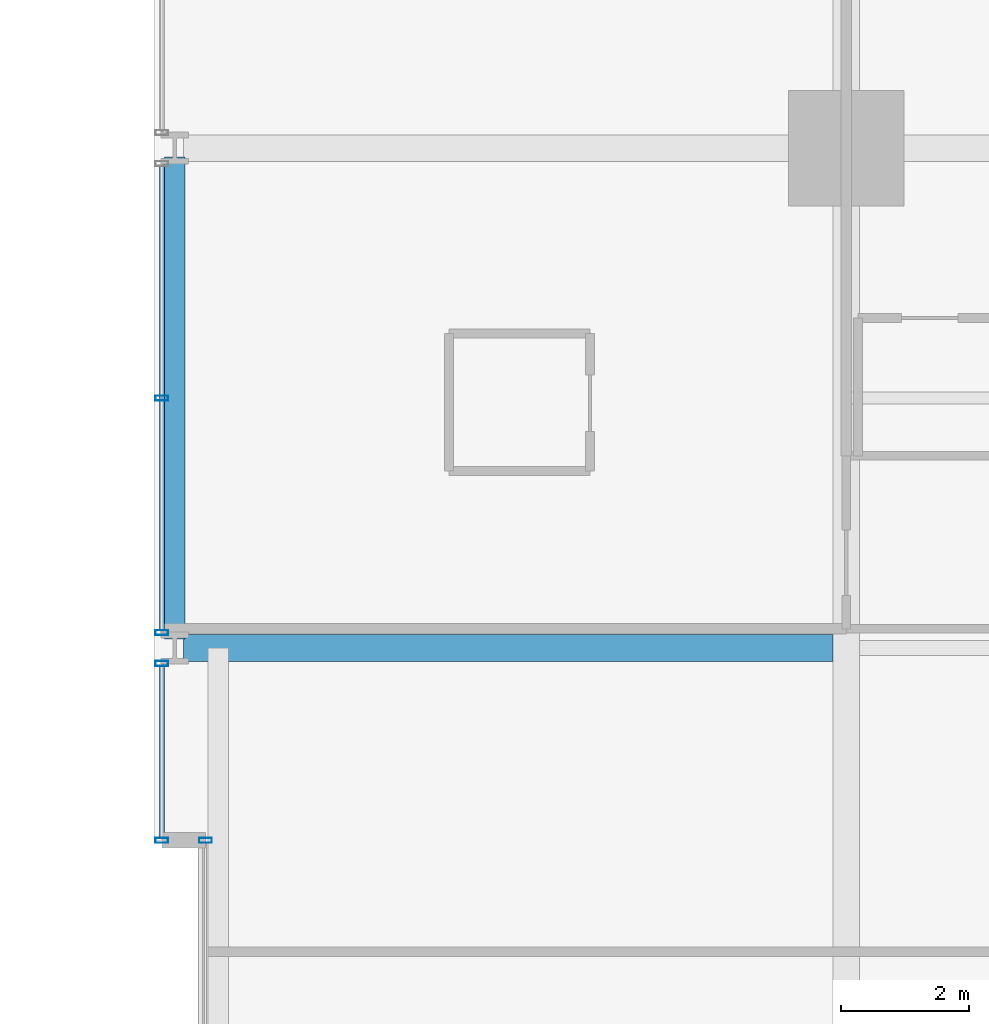
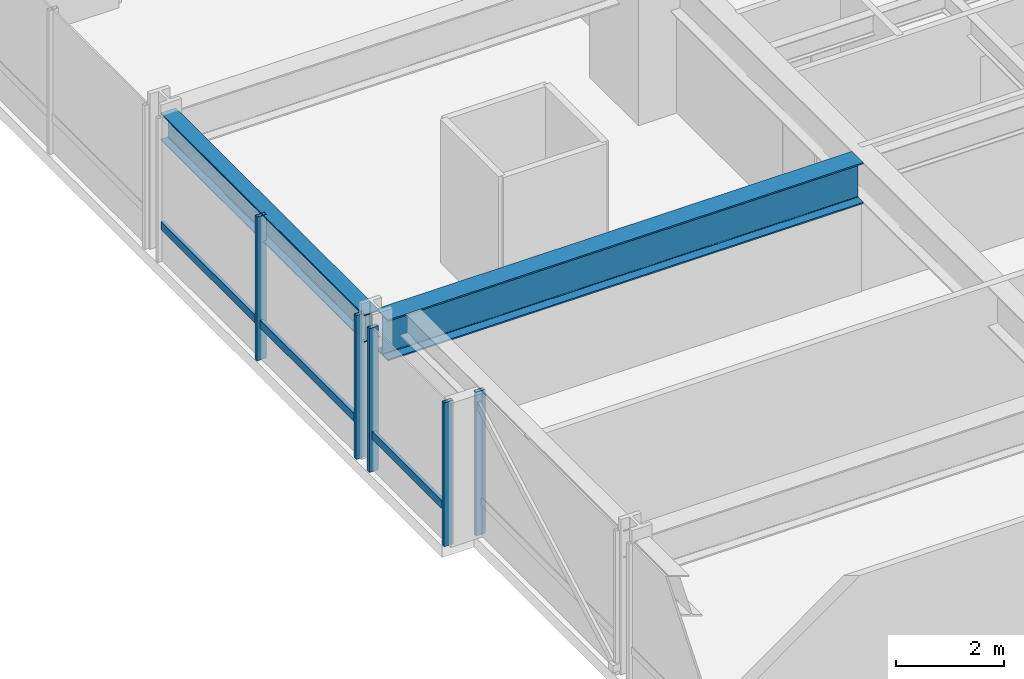
# One storey, part 17 of 38: 7 members, 2 beams, 3 elements without a shape of their own.
"""IFC4 building model written with IfcOpenShell, lengths in metres."""

from ifc_helpers import new_model, si_unit, direction, frame, origin, origin_2d, place, context, subcontext, project, spatial, hollow_rectangle, i_section, extrude, material, layer, layer_set, material_profile, profile_set, type_object, element, aggregate, save


model = new_model("IFC4")

# Units and contexts
model_context = context("Model", 3, precision=1e-05, world=origin(), true_north=direction((0.0, 1.0)))
body_context = subcontext(model_context, "Body", "Model", "MODEL_VIEW")
ifc_project = project(units=[si_unit("LENGTHUNIT", "METRE"), si_unit("AREAUNIT", "SQUARE_METRE"), si_unit("VOLUMEUNIT", "CUBIC_METRE"), si_unit("PLANEANGLEUNIT", "RADIAN"), si_unit("MASSUNIT", "GRAM", prefix="KILO")], contexts=[model_context])

# Site, building, storey
site_placement = place(None, origin())
site = spatial("IfcSite", under=ifc_project, at=site_placement, CompositionType="ELEMENT")
building_placement = place(site_placement, origin())
building = spatial("IfcBuilding", under=site, at=building_placement, Name="Drelvath Grand Hotel", CompositionType="ELEMENT")
storey_placement = place(building_placement, frame((0.0, 0.0, 57.699951171875)))
storey = spatial("IfcBuildingStorey", under=building, at=storey_placement, Name="L13", CompositionType="ELEMENT", Elevation=57.699951171875)

# Curtain wall, member
ifc_material_1 = material(Name="Warm Bronze Anodised Aluminium Frame", Category="aluminium")
ifc_layer = layer(ifc_material_1, 0.199951171875)
ifc_layer_set = layer_set([ifc_layer], Name="Warm Bronze Anodised Aluminium Frame")
curtain_wall_type = type_object("IfcCurtainWallType", Name="Stick Curtain Wall CW-02 Warm Bronze Low-Rise", PredefinedType="NOTDEFINED", material=ifc_layer_set)
curtain_wall_1_placement = place(storey_placement, origin())
curtain_wall_1 = element("IfcCurtainWall", 1, at=curtain_wall_1_placement, inside=storey, type_object=curtain_wall_type, Name="L13 CW-02 Curtain Wall CW02-L13-WN1", PredefinedType="NOTDEFINED")
ifc_material_profile_1 = material_profile(ifc_material_1, hollow_rectangle(XDim=0.074951171875, YDim=0.179931640625, WallThickness=0.0048828125, at=origin_2d()), Name="HSS180X75X5")
ifc_profile_set_1 = profile_set([ifc_material_profile_1], Name="Warm Bronze Anodised Aluminium Frame")
member_type_1 = type_object("IfcMemberType", Name="Curtain Wall Horizontal Transom CW-02 HSS180X75X5", PredefinedType="USERDEFINED", material=ifc_profile_set_1)
member_1_placement = place(storey_placement, frame((-26.8798828125, 32.43994140625, 0.81005859375), z_axis=(0.0, 1.0, 0.0), x_axis=(-1.0, 0.0, 0.0)))
member_1 = element("IfcMember", 2, at=member_1_placement, type_object=member_type_1, Name="CW02-L13-WN1 Sill Transom", ObjectType="TRANSOM", PredefinedType="USERDEFINED", context=body_context, shape_type="SweptSolid", body=[
    extrude(hollow_rectangle(XDim=0.074951171875, YDim=0.179931640625, WallThickness=0.0048828125, at=origin_2d()), origin(), (0.0, 0.0, 1.0), 2.67919921875),
])

curtain_wall_2_placement = place(storey_placement, origin())
curtain_wall_2 = element("IfcCurtainWall", 3, at=curtain_wall_2_placement, inside=storey, type_object=curtain_wall_type, Name="L13 CW-02 Curtain Wall CW02-L13-WN2", PredefinedType="NOTDEFINED")
member_2_placement = place(storey_placement, frame((-26.8798828125, 35.680908203125, 0.81005859375), z_axis=(0.0, 1.0, 0.0), x_axis=(-1.0, 0.0, 0.0)))
member_2 = element("IfcMember", 4, at=member_2_placement, type_object=member_type_1, Name="CW02-L13-WN2 Sill Transom", ObjectType="TRANSOM", PredefinedType="USERDEFINED", context=body_context, shape_type="SweptSolid", body=[
    extrude(hollow_rectangle(XDim=0.074951171875, YDim=0.179931640625, WallThickness=0.0048828125, at=origin_2d()), origin(), (0.0, 0.0, 1.0), 7.23828125),
])

curtain_wall_3_placement = place(storey_placement, origin())
curtain_wall_3 = element("IfcCurtainWall", 5, at=curtain_wall_3_placement, inside=storey, type_object=curtain_wall_type, Name="L13 CW-02 Curtain Wall CW02-L13-WM2", PredefinedType="NOTDEFINED")
ifc_material_profile_2 = material_profile(ifc_material_1, hollow_rectangle(XDim=0.080078125, YDim=0.199951171875, WallThickness=0.0048828125, at=origin_2d()), Name="HSS200X80X5")
ifc_profile_set_2 = profile_set([ifc_material_profile_2], Name="Warm Bronze Anodised Aluminium Frame")
member_type_2 = type_object("IfcMemberType", Name="Curtain Wall Vertical Mullion CW-02 HSS200X80X5", PredefinedType="MULLION", material=ifc_profile_set_2)
member_3_placement = place(storey_placement, frame((-26.199951171875, 32.39990234375, 0.0), z_axis=(0.0, 0.0, 1.0), x_axis=(0.0, 1.0, 0.0)))
member_3 = element("IfcMember", 6, at=member_3_placement, type_object=member_type_2, Name="CW02-L13-WM2 Mullion 2", PredefinedType="MULLION", context=body_context, shape_type="SweptSolid", body=[
    extrude(hollow_rectangle(XDim=0.080078125, YDim=0.199951171875, WallThickness=0.0048828125, at=origin_2d()), origin(), (0.0, 0.0, 1.0), 3.239990234375),
])
aggregate(curtain_wall_3, [member_3])

# Member
member_4_placement = place(storey_placement, frame((-26.8798828125, 32.39990234375, 0.0), z_axis=(0.0, 0.0, 1.0), x_axis=(0.0, 1.0, 0.0)))
member_4 = element("IfcMember", 7, at=member_4_placement, type_object=member_type_2, Name="CW02-L13-WN1 Mullion 1", PredefinedType="MULLION", context=body_context, shape_type="SweptSolid", body=[
    extrude(hollow_rectangle(XDim=0.080078125, YDim=0.199951171875, WallThickness=0.0048828125, at=origin_2d()), origin(), (0.0, 0.0, 1.0), 3.239990234375),
])

member_5_placement = place(storey_placement, frame((-26.8798828125, 35.1591796875, 0.0), z_axis=(0.0, 0.0, 1.0), x_axis=(0.0, 1.0, 0.0)))
member_5 = element("IfcMember", 8, at=member_5_placement, type_object=member_type_2, Name="CW02-L13-WN1 Mullion 2", PredefinedType="MULLION", context=body_context, shape_type="SweptSolid", body=[
    extrude(hollow_rectangle(XDim=0.080078125, YDim=0.199951171875, WallThickness=0.0048828125, at=origin_2d()), origin(), (0.0, 0.0, 1.0), 3.239990234375),
])

aggregate(curtain_wall_1, [member_4, member_5, member_1])

member_6_placement = place(storey_placement, frame((-26.8798828125, 35.640869140625, 0.0), z_axis=(0.0, 0.0, 1.0), x_axis=(0.0, 1.0, 0.0)))
member_6 = element("IfcMember", 9, at=member_6_placement, type_object=member_type_2, Name="CW02-L13-WN2 Mullion 1", PredefinedType="MULLION", context=body_context, shape_type="SweptSolid", body=[
    extrude(hollow_rectangle(XDim=0.080078125, YDim=0.199951171875, WallThickness=0.0048828125, at=origin_2d()), origin(), (0.0, 0.0, 1.0), 3.239990234375),
])

member_7_placement = place(storey_placement, frame((-26.8798828125, 39.300048828125, 0.0), z_axis=(0.0, 0.0, 1.0), x_axis=(0.0, 1.0, 0.0)))
member_7 = element("IfcMember", 10, at=member_7_placement, type_object=member_type_2, Name="CW02-L13-WN2 Mullion 2", PredefinedType="MULLION", context=body_context, shape_type="SweptSolid", body=[
    extrude(hollow_rectangle(XDim=0.080078125, YDim=0.199951171875, WallThickness=0.0048828125, at=origin_2d()), origin(), (0.0, 0.0, 1.0), 3.239990234375),
])

aggregate(curtain_wall_2, [member_6, member_7, member_2])

# Beams
ifc_material_2 = material(Name="Steel ASTM A992 Gr 50", Category="steel")
ifc_material_profile_3 = material_profile(ifc_material_2, i_section(OverallWidth=0.323974609375, OverallDepth=0.611083984375, WebThickness=0.0126953125, FlangeThickness=0.01904296875, FilletRadius=0.02197265625, at=origin_2d()), Name="W24X104")
ifc_profile_set_3 = profile_set([ifc_material_profile_3], Name="Steel ASTM A992 Gr 50")
beam_type_1 = type_object("IfcBeamType", Name="Perimeter Spandrel Beam W24X104", PredefinedType="SPANDREL", material=ifc_profile_set_3)
beam_1_placement = place(storey_placement, frame((-26.679931640625, 35.5400390625, 2.9345703125), z_axis=(0.0, 1.0, 0.0), x_axis=(-1.0, 0.0, 0.0)))
element("IfcBeam", 11, at=beam_1_placement, inside=storey, type_object=beam_type_1, Name="L13 Spandrel West N", PredefinedType="SPANDREL", context=body_context, shape_type="SweptSolid", body=[
    extrude(i_section(OverallWidth=0.323974609375, OverallDepth=0.611083984375, WebThickness=0.0126953125, FlangeThickness=0.01904296875, FilletRadius=0.02197265625, at=origin_2d()), origin(), (0.0, 0.0, 1.0), 7.52001953125),
])
ifc_material_profile_4 = material_profile(ifc_material_2, i_section(OverallWidth=0.418212890625, OverallDepth=0.926513671875, WebThickness=0.019287109375, FlangeThickness=0.031982421875, FilletRadius=0.028076171875, at=origin_2d()), Name="W36X231")
ifc_profile_set_4 = profile_set([ifc_material_profile_4], Name="Steel ASTM A992 Gr 50")
beam_type_2 = type_object("IfcBeamType", Name="Primary Floor Girder W36X231", PredefinedType="BEAM", material=ifc_profile_set_4)
beam_2_placement = place(storey_placement, frame((-26.5400390625, 35.39990234375, 2.77685546875), z_axis=(1.0, 0.0, 0.0), x_axis=(0.0, 1.0, 0.0)))
element("IfcBeam", 12, at=beam_2_placement, inside=storey, type_object=beam_type_2, Name="L13 West Wing Girder F", PredefinedType="BEAM", context=body_context, shape_type="SweptSolid", body=[
    extrude(i_section(OverallWidth=0.418212890625, OverallDepth=0.926513671875, WebThickness=0.019287109375, FlangeThickness=0.031982421875, FilletRadius=0.028076171875, at=origin_2d()), origin(), (0.0, 0.0, 1.0), 10.130859375),
])

save(model, "model.ifc")
